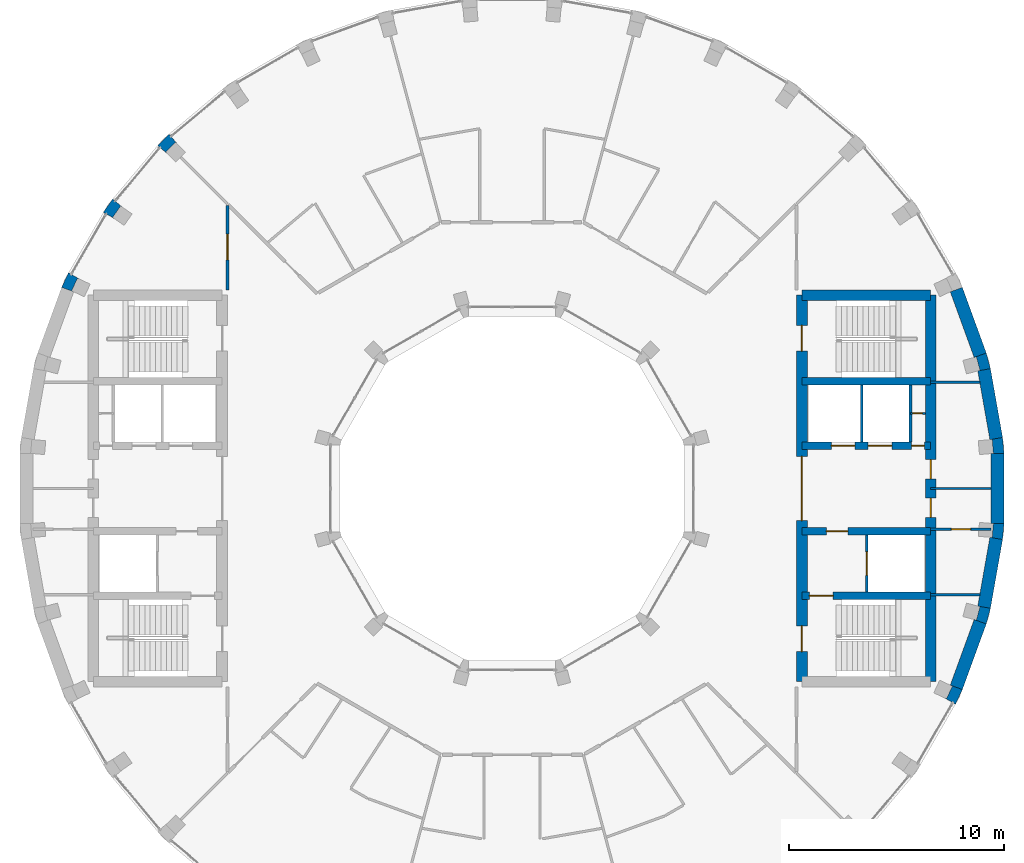
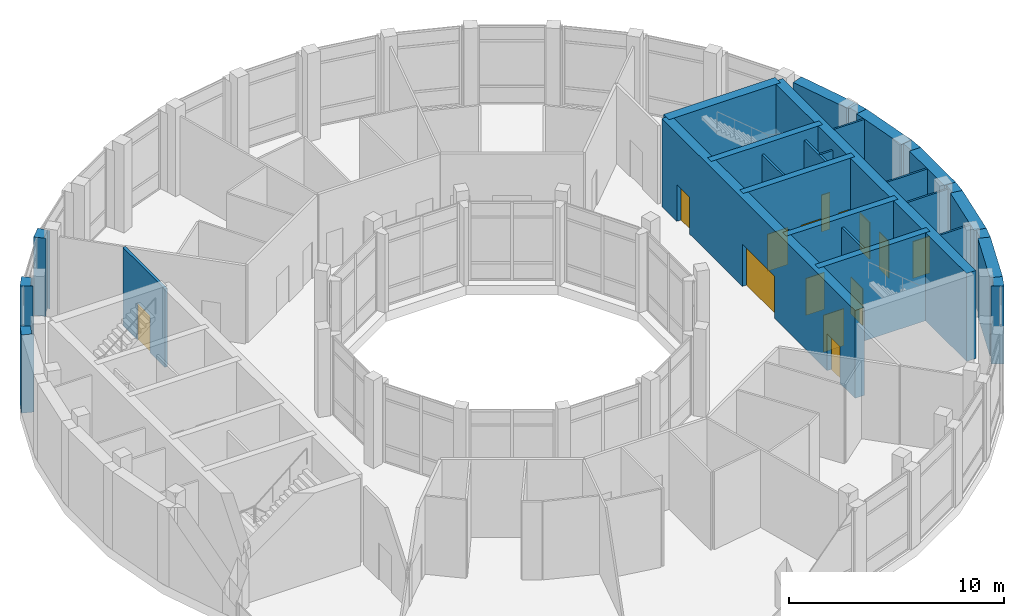
# One storey, part 13 of 16: 29 walls, 14 doors, 14 openings.
"""IFC4 building model written with IfcOpenShell, lengths in metres."""

import ifcopenshell
import ifcopenshell.guid

model = None  # the IFC model being written
_history = None  # IfcOwnerHistory: only IFC2X3 demands one
_inside = {}  # id of a spatial element -> (the spatial element, [elements in it])
_under = {}  # id of a project, library or spatial element -> (it, [spatial elements below it])
_declared = {}  # id of a project -> (the project, [libraries it declares])
_typed = {}  # id of a type object -> (the type object, [elements of that type])
_made_of = {}  # id of a material, layer set ... -> (it, [elements and type objects made of it])


def new_model(schema):
    """Start an empty IFC model of exactly this schema.

    Asked for "IFC4X3", IfcOpenShell would pick the latest addendum, in which some entities
    have other attributes; the version numbers below select the first issue.
    IFC2X3 requires an IfcOwnerHistory on every rooted entity: one is made here for all.
    """
    global model, _history
    if schema == "IFC4X3":
        model = ifcopenshell.file(schema_version=(4, 3, 0, 0))
    else:
        model = ifcopenshell.file(schema=schema)
    _inside.clear()
    _under.clear()
    _declared.clear()
    _typed.clear()
    _made_of.clear()
    _history = None
    if model.schema == "IFC2X3":
        org = make("IfcOrganization", Name="unknown")
        user = make(
            "IfcPersonAndOrganization",
            ThePerson=make("IfcPerson", FamilyName="unknown"),
            TheOrganization=org,
        )
        app = make(
            "IfcApplication",
            ApplicationDeveloper=org,
            Version="unknown",
            ApplicationFullName="unknown",
            ApplicationIdentifier="unknown",
        )
        _history = make(
            "IfcOwnerHistory",
            OwningUser=user,
            OwningApplication=app,
            ChangeAction="ADDED",
            CreationDate=0,
        )
    return model


def make(cls, **values):
    """One entity of the class cls with the attributes given. An attribute that is None is left unset."""
    return model.create_entity(
        cls, **{name: value for name, value in values.items() if value is not None}
    )


def rooted(cls, **values):
    """An entity with a GlobalId (a new one), such as an element, a storey or a relation."""
    return make(cls, GlobalId=ifcopenshell.guid.new(), OwnerHistory=_history, **values)


def si_unit(unit_type, name, prefix=None):
    """IfcSIUnit, for example si_unit("LENGTHUNIT", "METRE", prefix="MILLI")."""
    return make("IfcSIUnit", UnitType=unit_type, Prefix=prefix, Name=name)


def assignment(units):
    """IfcUnitAssignment: the units of a project."""
    return None if units is None else make("IfcUnitAssignment", Units=units)


def point(xyz):
    """IfcCartesianPoint."""
    return None if xyz is None else make("IfcCartesianPoint", Coordinates=xyz)


def direction(xyz):
    """IfcDirection."""
    return None if xyz is None else make("IfcDirection", DirectionRatios=xyz)


def frame(location, z_axis=None, x_axis=None):
    """IfcAxis2Placement3D, a coordinate frame: its origin and axes. An axis left out is left unset."""
    return make(
        "IfcAxis2Placement3D",
        Location=point(location),
        Axis=direction(z_axis),
        RefDirection=direction(x_axis),
    )


def frame_2d(location, x_axis=None):
    """IfcAxis2Placement2D, a coordinate frame in the plane: its origin and x axis."""
    return make(
        "IfcAxis2Placement2D", Location=point(location), RefDirection=direction(x_axis)
    )


def origin():
    """The frame at (0, 0, 0) with its axes left unset."""
    return frame((0.0, 0.0, 0.0))


def place(relative_to, where):
    """IfcLocalPlacement: puts the frame where relative to a parent placement (None: the world)."""
    return make(
        "IfcLocalPlacement", PlacementRelTo=relative_to, RelativePlacement=where
    )


def context(
    kind, dimensions, precision=None, world=None, true_north=None, identifier=None
):
    """IfcGeometricRepresentationContext, for example the 3D "Model" context."""
    return make(
        "IfcGeometricRepresentationContext",
        ContextIdentifier=identifier,
        ContextType=kind,
        CoordinateSpaceDimension=dimensions,
        Precision=precision,
        WorldCoordinateSystem=world,
        TrueNorth=true_north,
    )


def subcontext(parent, identifier, kind, view, scale=None):
    """IfcGeometricRepresentationSubContext, for example "Body" below "Model"."""
    return make(
        "IfcGeometricRepresentationSubContext",
        ContextIdentifier=identifier,
        ContextType=kind,
        ParentContext=parent,
        TargetScale=scale,
        TargetView=view,
    )


def project(units=None, contexts=None):
    """IfcProject with its units and contexts."""
    return rooted(
        "IfcProject",
        Name="project",
        RepresentationContexts=contexts,
        UnitsInContext=assignment(units),
    )


def spatial(cls, under=None, at=None, **own):
    """A site, building, storey or space (cls), placed at a placement, below another one or the project."""
    s = rooted(cls, ObjectPlacement=at, **own)
    if under is not None:
        _under.setdefault(under.id(), (under, []))[1].append(s)
    return s


def polyline(points):
    """IfcPolyline through the points."""
    return make("IfcPolyline", Points=[point(p) for p in points])


def profile(cls, at=None, kind="AREA", **sizes):
    """A parametric profile (cls). Its sizes go by their IFC names, for example OverallWidth=200.0."""
    return make(cls, ProfileType=kind, Position=at, **sizes)


def rectangle(**sizes):
    """IfcRectangleProfileDef."""
    return profile("IfcRectangleProfileDef", **sizes)


def outline(outer, holes=None, kind="AREA"):
    """IfcArbitraryClosedProfileDef: a profile drawn as a closed curve; with holes, ...WithVoids."""
    if holes is None:
        return make("IfcArbitraryClosedProfileDef", ProfileType=kind, OuterCurve=outer)
    return make(
        "IfcArbitraryProfileDefWithVoids",
        ProfileType=kind,
        OuterCurve=outer,
        InnerCurves=holes,
    )


def extrude(swept, where, along, depth):
    """IfcExtrudedAreaSolid: the profile swept, set in the frame where, extruded along a direction by depth."""
    return make(
        "IfcExtrudedAreaSolid",
        SweptArea=swept,
        Position=where,
        ExtrudedDirection=direction(along),
        Depth=depth,
    )


def shape(context_of_items, identifier, shape_type, items):
    """IfcShapeRepresentation: the items that make up one representation, for example the "Body"."""
    return make(
        "IfcShapeRepresentation",
        ContextOfItems=context_of_items,
        RepresentationIdentifier=identifier,
        RepresentationType=shape_type,
        Items=items,
    )


def material(Name=None, Category=None):
    """IfcMaterial."""
    return make("IfcMaterial", Name=Name, Category=Category)


def layer(
    of_material, thickness, ventilated=None, Name=None, Category=None, Priority=None
):
    """IfcMaterialLayer: one layer of a wall or slab, of a material (None: an air gap)."""
    return make(
        "IfcMaterialLayer",
        Material=of_material,
        LayerThickness=thickness,
        IsVentilated=ventilated,
        Name=Name,
        Category=Category,
        Priority=Priority,
    )


def layer_set(layers, Name=None):
    """IfcMaterialLayerSet."""
    return make("IfcMaterialLayerSet", MaterialLayers=layers, LayerSetName=Name)


def made_of(thing, what):
    """Note that an element or type object is made of a material, layer set ...; save() writes the relation."""
    if what is not None:
        _made_of.setdefault(what.id(), (what, []))[1].append(thing)
    return thing


def type_object(cls, material=None, **own):
    """A type object (cls), such as IfcWallType, which elements share."""
    return made_of(rooted(cls, **own), material)


def element(
    cls,
    number,
    at=None,
    inside=None,
    cuts=None,
    type_object=None,
    material=None,
    context=None,
    identifier="Body",
    shape_type=None,
    held_by="IfcProductDefinitionShape",
    body=None,
    shapes=None,
    **own,
):
    """One element of the class cls, such as IfcWall. Its Tag is "e" and its number.

    at: its placement. inside: the storey or other place that contains it. cuts: it is an
    opening in that element (IfcRelVoidsElement). A single representation is given by context,
    identifier, shape_type and body (its items); several are given by shapes. held_by: the class
    of the entity that holds the representations. save() writes the other relations.
    """
    e = rooted(cls, Tag="e%d" % number, ObjectPlacement=at, **own)
    if body is not None:
        shapes = [shape(context, identifier, shape_type, body)]
    if shapes is not None:
        e.Representation = make(held_by, Representations=shapes)
    if inside is not None:
        _inside.setdefault(inside.id(), (inside, []))[1].append(e)
    if cuts is not None:
        rooted(
            "IfcRelVoidsElement", RelatingBuildingElement=cuts, RelatedOpeningElement=e
        )
    if type_object is not None:
        _typed.setdefault(type_object.id(), (type_object, []))[1].append(e)
    return made_of(e, material)


def fill(opening, filler):
    """IfcRelFillsElement: the door or window that sits in an opening."""
    return rooted(
        "IfcRelFillsElement",
        RelatingOpeningElement=opening,
        RelatedBuildingElement=filler,
    )


def aggregate(whole, parts):
    """IfcRelAggregates: a whole, such as a stair, and the parts it consists of."""
    return rooted("IfcRelAggregates", RelatingObject=whole, RelatedObjects=parts)


def save(model, path):
    """Write the relations noted so far, then the file.

    IfcRelAggregates (storeys below a building ...), IfcRelContainedInSpatialStructure (elements
    in a storey), IfcRelDefinesByType, IfcRelAssociatesMaterial and IfcRelDeclares: one each for
    every whole, place, type object, material and project.
    """
    for whole, parts in _under.values():
        aggregate(whole, parts)
    for where, things in _inside.values():
        rooted(
            "IfcRelContainedInSpatialStructure",
            RelatedElements=things,
            RelatingStructure=where,
        )
    for kind, things in _typed.values():
        rooted("IfcRelDefinesByType", RelatedObjects=things, RelatingType=kind)
    for what, things in _made_of.values():
        rooted("IfcRelAssociatesMaterial", RelatedObjects=things, RelatingMaterial=what)
    for by, libraries in _declared.values():
        rooted("IfcRelDeclares", RelatingContext=by, RelatedDefinitions=libraries)
    model.write(path)


model = new_model("IFC4")

# Units and contexts
model_context = context("Model", 3, precision=1e-05, world=origin(), true_north=direction((0.0, 1.0)))
body_context = subcontext(model_context, "Body", "Model", "MODEL_VIEW")
ifc_project = project(units=[si_unit("LENGTHUNIT", "METRE"), si_unit("AREAUNIT", "SQUARE_METRE"), si_unit("VOLUMEUNIT", "CUBIC_METRE"), si_unit("PLANEANGLEUNIT", "RADIAN"), si_unit("MASSUNIT", "GRAM", prefix="KILO")], contexts=[model_context])

# Site, building, storey
site_placement = place(None, origin())
site = spatial("IfcSite", under=ifc_project, at=site_placement, CompositionType="ELEMENT")
building_placement = place(site_placement, origin())
building = spatial("IfcBuilding", under=site, at=building_placement, Name="Saqina Gate Tower", CompositionType="ELEMENT")
storey_placement = place(building_placement, frame((0.0, 0.0, 279.199951171875)))
storey = spatial("IfcBuildingStorey", under=building, at=storey_placement, Name="L80", CompositionType="ELEMENT", Elevation=279.199951171875)

# Walls
ifc_material_1 = material(Name="Brick masonry (buff)", Category="masonry")
wall_type_1 = type_object("IfcWallType", Name="BRICK PIER COPING BUFF", PredefinedType="SOLIDWALL", material=ifc_material_1)
wall_1_placement = place(storey_placement, origin())
element("IfcWall", 1, at=wall_1_placement, inside=storey, type_object=wall_type_1, Name="Pier cap L80 column 1", PredefinedType="SOLIDWALL", context=body_context, shape_type="SweptSolid", body=[
    extrude(outline(polyline([(22.91259765625, 1.625732421875), (22.8466796875, 2.377685546875), (22.255859375, 2.2734375), (22.361083984375, 2.28271484375), (22.417724609375, 1.635009765625), (22.3125, 1.625732421875), (22.91259765625, 1.625732421875)])), origin(), (0.0, 0.0, 1.0), 4.449951171875),
])
wall_2_placement = place(storey_placement, origin())
element("IfcWall", 2, at=wall_2_placement, inside=storey, type_object=wall_type_1, Name="Pier cap L80 column 2", PredefinedType="SOLIDWALL", context=body_context, shape_type="SweptSolid", body=[
    extrude(outline(polyline([(22.0869140625, 6.30859375), (21.52294921875, 6.103515625), (21.625, 6.130859375), (21.793212890625, 5.5029296875), (21.691162109375, 5.4755859375), (22.281982421875, 5.579833984375), (22.0869140625, 6.30859375)])), origin(), (0.0, 0.0, 1.0), 4.449951171875),
])
wall_3_placement = place(storey_placement, origin())
element("IfcWall", 3, at=wall_3_placement, inside=storey, type_object=wall_type_1, Name="Pier cap L80 column 14", PredefinedType="SOLIDWALL", context=body_context, shape_type="SweptSolid", body=[
    extrude(outline(polyline([(-16.5068359375, 15.973388671875), (-16.04736328125, 15.587646484375), (-16.1220703125, 15.662353515625), (-15.662353515625, 16.1220703125), (-15.587646484375, 16.04736328125), (-15.973388671875, 16.5068359375), (-16.5068359375, 15.973388671875)])), origin(), (0.0, 0.0, 1.0), 4.449951171875),
])
wall_4_placement = place(storey_placement, origin())
element("IfcWall", 4, at=wall_4_placement, inside=storey, type_object=wall_type_1, Name="Pier cap L80 column 15", PredefinedType="SOLIDWALL", context=body_context, shape_type="SweptSolid", body=[
    extrude(outline(polyline([(-19.02978515625, 12.8642578125), (-18.51025390625, 12.564208984375), (-18.596923828125, 12.625), (-18.22412109375, 13.157470703125), (-18.137451171875, 13.0966796875), (-18.59716796875, 13.482421875), (-19.02978515625, 12.8642578125)])), origin(), (0.0, 0.0, 1.0), 4.449951171875),
])
wall_5_placement = place(storey_placement, origin())
element("IfcWall", 5, at=wall_5_placement, inside=storey, type_object=wall_type_1, Name="Pier cap L80 column 16", PredefinedType="SOLIDWALL", context=body_context, shape_type="SweptSolid", body=[
    extrude(outline(polyline([(-20.65576171875, 10.048095703125), (-20.974609375, 9.3642578125), (-20.410888671875, 9.1591796875), (-20.506591796875, 9.203857421875), (-20.23193359375, 9.79296875), (-20.135986328125, 9.748291015625), (-20.65576171875, 10.048095703125)])), origin(), (0.0, 0.0, 1.0), 4.449951171875),
])
wall_6_placement = place(storey_placement, origin())
element("IfcWall", 6, at=wall_6_placement, inside=storey, type_object=wall_type_1, Name="Pier cap L80 column 34", PredefinedType="SOLIDWALL", context=body_context, shape_type="SweptSolid", body=[
    extrude(outline(polyline([(20.65576171875, -10.048095703125), (20.974609375, -9.3642578125), (20.410888671875, -9.1591796875), (20.506591796875, -9.203857421875), (20.23193359375, -9.79296875), (20.135986328125, -9.748291015625), (20.65576171875, -10.048095703125)])), origin(), (0.0, 0.0, 1.0), 4.449951171875),
])
wall_7_placement = place(storey_placement, origin())
element("IfcWall", 7, at=wall_7_placement, inside=storey, type_object=wall_type_1, Name="Pier cap L80 column 35", PredefinedType="SOLIDWALL", context=body_context, shape_type="SweptSolid", body=[
    extrude(outline(polyline([(22.281982421875, -5.579833984375), (21.691162109375, -5.4755859375), (21.793212890625, -5.5029296875), (21.625, -6.130859375), (21.52294921875, -6.103515625), (22.0869140625, -6.30859375), (22.281982421875, -5.579833984375)])), origin(), (0.0, 0.0, 1.0), 4.449951171875),
])
wall_8_placement = place(storey_placement, origin())
element("IfcWall", 8, at=wall_8_placement, inside=storey, type_object=wall_type_1, Name="Pier cap L80 column 36", PredefinedType="SOLIDWALL", context=body_context, shape_type="SweptSolid", body=[
    extrude(outline(polyline([(22.8466796875, -2.377685546875), (22.91259765625, -1.625732421875), (22.3125, -1.625732421875), (22.417724609375, -1.635009765625), (22.361083984375, -2.28271484375), (22.255859375, -2.2734375), (22.8466796875, -2.377685546875)])), origin(), (0.0, 0.0, 1.0), 4.449951171875),
])

# Wall, opening, door
ifc_material_2 = material(Name="Gypsum board on steel studs", Category="steel")
ifc_layer_1 = layer(ifc_material_2, 0.10009765625)
ifc_layer_set_1 = layer_set([ifc_layer_1], Name="CORE PARTITION")
wall_type_2 = type_object("IfcWallType", Name="CORE PARTITION", PredefinedType="PARTITIONING", material=ifc_layer_set_1)
wall_9_placement = place(storey_placement, frame((18.56005859375, 3.5, 0.0), z_axis=(0.0, 0.0, 1.0), x_axis=(1.0, 0.0, 0.0)))
wall_9 = element("IfcWall", 9, at=wall_9_placement, inside=storey, type_object=wall_type_2, Name="L80-CP-E01", PredefinedType="PARTITIONING", context=body_context, shape_type="SweptSolid", body=[
    extrude(rectangle(XDim=0.68994140625, YDim=0.10009765625, at=frame_2d((0.344970703125, 0.0))), origin(), (0.0, 0.0, 1.0), 4.449951171875),
])
opening_1_placement = place(wall_9_placement, frame((0.10009765625, 0.0, 0.0)))
opening_1 = element("IfcOpeningElement", 10, at=opening_1_placement, cuts=wall_9, Name="Opening L80-D95", PredefinedType="OPENING", context=body_context, shape_type="SweptSolid", body=[
    extrude(rectangle(XDim=0.449951171875, YDim=2.10009765625, at=frame_2d((0.22509765625, 1.050048828125))), frame((0.0, 0.06201171875, 0.0), z_axis=(0.0, -1.0, 0.0), x_axis=(1.0, 0.0, 0.0)), (0.0, 0.0, 1.0), 0.1240234375),
])
ifc_material_3 = material(Name="Steel-framed fire door leaf, EI 60", Category="steel")
door_type_1 = type_object("IfcDoorType", Name="SERVICE ROOM DOOR 450", OperationType="SINGLE_SWING_LEFT", PredefinedType="DOOR", material=ifc_material_3)
door_1_placement = place(opening_1_placement, origin())
door_1 = element("IfcDoor", 11, at=door_1_placement, inside=storey, type_object=door_type_1, Name="L80-CD-E06", OperationType="SINGLE_SWING_RIGHT", OverallHeight=2.10009765625, OverallWidth=0.449951171875, PredefinedType="DOOR", context=body_context, shape_type="SweptSolid", body=[
    extrude(rectangle(XDim=0.449951171875, YDim=2.10009765625, at=frame_2d((0.22509765625, 1.050048828125))), frame((0.0, 0.02490234375, 0.0), z_axis=(0.0, -1.0, 0.0), x_axis=(1.0, 0.0, 0.0)), (0.0, 0.0, 1.0), 0.050048828125),
])
fill(opening_1, door_1)

# Walls
for number, where, z_axis, x_axis, name in (
    (12, (19.5, 4.949951171875, 0.0), (0.0, 0.0, 1.0), (1.0, 0.0, 0.0), "L80-CP-E02"),
    (13, (19.5, -4.949951171875, 0.0), (0.0, 0.0, 1.0), (1.0, 0.0, 0.0), "L80-CP-E03"),
):
    element("IfcWall", number, at=place(storey_placement, frame(where, z_axis=z_axis, x_axis=x_axis)), inside=storey, type_object=wall_type_2, Name=name, PredefinedType="PARTITIONING", context=body_context, shape_type="SweptSolid", body=[
        extrude(rectangle(XDim=2.283935546875, YDim=0.10009765625, at=frame_2d((1.14208984375, 0.0))), origin(), (0.0, 0.0, 1.0), 4.449951171875),
    ])

# Wall, opening, door
wall_10_placement = place(storey_placement, frame((19.5, -1.89990234375, 0.0), z_axis=(0.0, 0.0, 1.0), x_axis=(1.0, 0.0, 0.0)))
wall_10 = element("IfcWall", 14, at=wall_10_placement, inside=storey, type_object=wall_type_2, Name="L80-CP-E04", PredefinedType="PARTITIONING", context=body_context, shape_type="SweptSolid", body=[
    extrude(rectangle(XDim=2.8125, YDim=0.10009765625, at=frame_2d((1.40625, 0.0))), origin(), (0.0, 0.0, 1.0), 4.449951171875),
])
opening_2_placement = place(wall_10_placement, frame((0.956298828125, 0.0, 0.0)))
opening_2 = element("IfcOpeningElement", 15, at=opening_2_placement, cuts=wall_10, Name="Opening L80-D93", PredefinedType="OPENING", context=body_context, shape_type="SweptSolid", body=[
    extrude(rectangle(XDim=0.89990234375, YDim=2.10009765625, at=frame_2d((0.449951171875, 1.050048828125))), frame((0.0, 0.06201171875, 0.0), z_axis=(0.0, -1.0, 0.0), x_axis=(1.0, 0.0, 0.0)), (0.0, 0.0, 1.0), 0.1240234375),
])
ifc_material_4 = material(Name="Steel-framed fire door leaf, EI 60", Category="steel")
door_type_2 = type_object("IfcDoorType", Name="SERVICE ROOM DOOR 900", OperationType="SINGLE_SWING_LEFT", PredefinedType="DOOR", material=ifc_material_4)
door_2_placement = place(opening_2_placement, frame((0.89990234375, 0.0, 0.0), z_axis=(0.0, 0.0, 1.0), x_axis=(-1.0, 0.0, 0.0)))
door_2 = element("IfcDoor", 16, at=door_2_placement, inside=storey, type_object=door_type_2, Name="L80-CD-E04", OperationType="SINGLE_SWING_LEFT", OverallHeight=2.10009765625, OverallWidth=0.89990234375, PredefinedType="DOOR", context=body_context, shape_type="SweptSolid", body=[
    extrude(rectangle(XDim=0.89990234375, YDim=2.10009765625, at=frame_2d((0.449951171875, 1.050048828125))), frame((0.0, 0.02490234375, 0.0), z_axis=(0.0, -1.0, 0.0), x_axis=(1.0, 0.0, 0.0)), (0.0, 0.0, 1.0), 0.050048828125),
])
fill(opening_2, door_2)

# Walls
wall_11_placement = place(storey_placement, frame((19.5, 0.0, 0.0), z_axis=(0.0, 0.0, 1.0), x_axis=(1.0, 0.0, 0.0)))
element("IfcWall", 17, at=wall_11_placement, inside=storey, type_object=wall_type_2, Name="L80-CP-E05", PredefinedType="PARTITIONING", context=body_context, shape_type="SweptSolid", body=[
    extrude(rectangle(XDim=2.8125, YDim=0.10009765625, at=frame_2d((1.40625, 0.0))), origin(), (0.0, 0.0, 1.0), 4.449951171875),
])
ifc_material_5 = material(Name="Glazed ceramic tile", Category="ceramic")
ifc_layer_2 = layer(ifc_material_5, 0.60009765625)
ifc_layer_set_2 = layer_set([ifc_layer_2], Name="FW-TILE")
wall_type_3 = type_object("IfcWallType", Name="FW-TILE", PredefinedType="SOLIDWALL", material=ifc_layer_set_2)
for number, where, z_axis, x_axis, name in (
    (18, (22.55126953125, 2.325439453125, 0.0), (0.0, 0.0, 1.0), (-0.173656842178, 0.984806225186, 0.0), "Facade wall L80 facet 1"),
    (19, (21.986572265625, -5.52783203125, 0.0), (0.0, 0.0, 1.0), (0.173656842178, 0.984806225186, 0.0), "Facade wall L80 facet 35"),
):
    element("IfcWall", number, at=place(storey_placement, frame(where, z_axis=z_axis, x_axis=x_axis)), inside=storey, type_object=wall_type_3, Name=name, PredefinedType="SOLIDWALL", context=body_context, shape_type="SweptSolid", body=[
        extrude(rectangle(XDim=3.251708984375, YDim=0.60009765625, at=frame_2d((1.6259765625, 0.0))), origin(), (0.0, 0.0, 1.0), 4.449951171875),
    ])
ifc_material_6 = material(Name="Glazed ceramic tile (dark blue)", Category="ceramic")
ifc_layer_3 = layer(ifc_material_6, 0.60009765625)
ifc_layer_set_3 = layer_set([ifc_layer_3], Name="FW-TILE-CB")
wall_type_4 = type_object("IfcWallType", Name="FW-TILE-CB", PredefinedType="SOLIDWALL", material=ifc_layer_set_3)
for number, where, z_axis, x_axis, name in (
    (20, (21.804931640625, 6.2060546875, 0.0), (0.0, 0.0, 1.0), (-0.342056509473, 0.939679383794, 0.0), "Facade wall L80 facet 2"),
    (21, (20.692626953125, -9.26171875, 0.0), (0.0, 0.0, 1.0), (0.342056509473, 0.939679383794, 0.0), "Facade wall L80 facet 34"),
):
    element("IfcWall", number, at=place(storey_placement, frame(where, z_axis=z_axis, x_axis=x_axis)), inside=storey, type_object=wall_type_4, Name=name, PredefinedType="SOLIDWALL", context=body_context, shape_type="SweptSolid", body=[
        extrude(rectangle(XDim=3.251708984375, YDim=0.60009765625, at=frame_2d((1.6259765625, 0.0))), origin(), (0.0, 0.0, 1.0), 4.449951171875),
    ])
ifc_material_7 = material(Name="Glazed ceramic tile (white)", Category="ceramic")
ifc_layer_4 = layer(ifc_material_7, 0.60009765625)
ifc_layer_set_4 = layer_set([ifc_layer_4], Name="FW-TILE-WH")
wall_type_5 = type_object("IfcWallType", Name="FW-TILE-WH", PredefinedType="SOLIDWALL", material=ifc_layer_set_4)
wall_12_placement = place(storey_placement, frame((22.612548828125, -1.625732421875, 0.0), z_axis=(0.0, 0.0, 1.0), x_axis=(0.0, 1.0, 0.0)))
element("IfcWall", 22, at=wall_12_placement, inside=storey, type_object=wall_type_5, Name="Facade wall L80 facet 36", PredefinedType="SOLIDWALL", context=body_context, shape_type="SweptSolid", body=[
    extrude(rectangle(XDim=3.25146484375, YDim=0.60009765625, at=frame_2d((1.625732421875, 0.0))), origin(), (0.0, 0.0, 1.0), 4.449951171875),
])
ifc_material_8 = material(Name="Autoclaved aerated concrete block", Category="concrete")
ifc_layer_5 = layer(ifc_material_8, 0.1201171875)
ifc_layer_set_5 = layer_set([ifc_layer_5], Name="SHAFT PARTITION")
wall_type_6 = type_object("IfcWallType", Name="SHAFT PARTITION", PredefinedType="PARTITIONING", material=ifc_layer_set_5)
for number, where, z_axis, x_axis, name in (
    (23, (16.280029296875, 2.175048828125, 0.0), (0.0, 0.0, 1.0), (0.0, 1.0, 0.0), "L80-CP-E06"),
    (24, (18.56005859375, 2.175048828125, 0.0), (0.0, 0.0, 1.0), (0.0, 1.0, 0.0), "L80-CP-E07"),
):
    element("IfcWall", number, at=place(storey_placement, frame(where, z_axis=z_axis, x_axis=x_axis)), inside=storey, type_object=wall_type_6, Name=name, PredefinedType="PARTITIONING", context=body_context, shape_type="SweptSolid", body=[
        extrude(rectangle(XDim=2.64990234375, YDim=0.1201171875, at=frame_2d((1.324951171875, 0.0))), origin(), (0.0, 0.0, 1.0), 4.449951171875),
    ])

# Wall, opening, door
wall_13_placement = place(storey_placement, frame((16.530029296875, -4.824951171875, 0.0), z_axis=(0.0, 0.0, 1.0), x_axis=(0.0, 1.0, 0.0)))
wall_13 = element("IfcWall", 25, at=wall_13_placement, inside=storey, type_object=wall_type_6, Name="L80-CP-E08", PredefinedType="PARTITIONING", context=body_context, shape_type="SweptSolid", body=[
    extrude(rectangle(XDim=2.64990234375, YDim=0.1201171875, at=frame_2d((1.324951171875, 0.0))), origin(), (0.0, 0.0, 1.0), 4.449951171875),
])
opening_3_placement = place(wall_13_placement, frame((0.77490234375, 0.0, 0.0)))
opening_3 = element("IfcOpeningElement", 26, at=opening_3_placement, cuts=wall_13, Name="Opening L80-LD3", PredefinedType="OPENING", context=body_context, shape_type="SweptSolid", body=[
    extrude(rectangle(XDim=1.10009765625, YDim=2.10009765625, at=frame_2d((0.550048828125, 1.050048828125))), frame((0.0, 0.072021484375, 0.0), z_axis=(0.0, -1.0, 0.0), x_axis=(1.0, 0.0, 0.0)), (0.0, 0.0, 1.0), 0.14404296875),
])
ifc_material_9 = material(Name="Stainless steel", Category="steel")
door_type_3 = type_object("IfcDoorType", Name="LANDING DOOR", OperationType="DOUBLE_DOOR_SLIDING", PredefinedType="DOOR", material=ifc_material_9)
door_3_placement = place(opening_3_placement, origin())
door_3 = element("IfcDoor", 27, at=door_3_placement, inside=storey, type_object=door_type_3, Name="LANDING DOOR FF1", OperationType="DOUBLE_DOOR_SLIDING", OverallHeight=2.10009765625, OverallWidth=1.10009765625, PredefinedType="DOOR", context=body_context, shape_type="SweptSolid", body=[
    extrude(rectangle(XDim=1.10009765625, YDim=2.10009765625, at=frame_2d((0.550048828125, 1.050048828125))), frame((0.0, 0.02490234375, 0.0), z_axis=(0.0, -1.0, 0.0), x_axis=(1.0, 0.0, 0.0)), (0.0, 0.0, 1.0), 0.050048828125),
])
fill(opening_3, door_3)

ifc_material_10 = material(Name="Gypsum board on steel studs, 150 mm, fire rated", Category="steel")
ifc_layer_6 = layer(ifc_material_10, 0.14990234375)
ifc_layer_set_6 = layer_set([ifc_layer_6], Name="SPECIAL PARTITION EI 30 150")
wall_type_7 = type_object("IfcWallType", Name="SPECIAL PARTITION EI 30 150", PredefinedType="PARTITIONING", material=ifc_layer_set_6)
wall_14_placement = place(storey_placement, frame((-13.25, 9.25, 0.0), z_axis=(0.0, 0.0, 1.0), x_axis=(0.0, 1.0, 0.0)))
wall_14 = element("IfcWall", 28, at=wall_14_placement, inside=storey, type_object=wall_type_7, Name="PARTITION 048", PredefinedType="PARTITIONING", context=body_context, shape_type="SweptSolid", body=[
    extrude(rectangle(XDim=3.925048828125, YDim=0.14990234375, at=frame_2d((1.96240234375, 0.0))), origin(), (0.0, 0.0, 1.0), 4.449951171875),
])
opening_4_placement = place(wall_14_placement, frame((1.39990234375, 0.0, 0.0)))
opening_4 = element("IfcOpeningElement", 29, at=opening_4_placement, cuts=wall_14, Name="Opening L80-D12", PredefinedType="OPENING", context=body_context, shape_type="SweptSolid", body=[
    extrude(rectangle(XDim=1.199951171875, YDim=2.10009765625, at=frame_2d((0.60009765625, 1.050048828125))), frame((0.0, 0.0869140625, 0.0), z_axis=(0.0, -1.0, 0.0), x_axis=(1.0, 0.0, 0.0)), (0.0, 0.0, 1.0), 0.173828125),
])
ifc_material_11 = material(Name="Steel-framed fire door leaf, EI 30", Category="steel")
door_type_4 = type_object("IfcDoorType", Name="SPECIAL DOOR 1200 FIRE EI 30", OperationType="SINGLE_SWING_LEFT", PredefinedType="DOOR", material=ifc_material_11)
door_4_placement = place(opening_4_placement, origin())
door_4 = element("IfcDoor", 30, at=door_4_placement, inside=storey, type_object=door_type_4, Name="DOOR L80-D12", OperationType="SINGLE_SWING_RIGHT", OverallHeight=2.10009765625, OverallWidth=1.199951171875, PredefinedType="DOOR", context=body_context, shape_type="SweptSolid", body=[
    extrude(rectangle(XDim=1.199951171875, YDim=2.10009765625, at=frame_2d((0.60009765625, 1.050048828125))), frame((0.0, 0.02490234375, 0.0), z_axis=(0.0, -1.0, 0.0), x_axis=(1.0, 0.0, 0.0)), (0.0, 0.0, 1.0), 0.050048828125),
])
fill(opening_4, door_4)

# Wall
ifc_material_12 = material(Name="Concrete C60/75", Category="concrete")
ifc_layer_7 = layer(ifc_material_12, 0.35009765625)
ifc_layer_set_7 = layer_set([ifc_layer_7], Name="Concrete C60/75")
wall_type_8 = type_object("IfcWallType", Name="STR-CORE WALL-D-I", PredefinedType="SHEAR", material=ifc_layer_set_7)
wall_15_placement = place(storey_placement, frame((13.5, 5.0, 0.0), z_axis=(0.0, 0.0, 1.0), x_axis=(1.0, 0.0, 0.0)))
element("IfcWall", 31, at=wall_15_placement, inside=storey, type_object=wall_type_8, Name="CORE WALL L80 E-X1", PredefinedType="SHEAR", context=body_context, shape_type="SweptSolid", body=[
    extrude(rectangle(XDim=6.0, YDim=0.35009765625, at=frame_2d((3.0, 0.0))), origin(), (0.0, 0.0, 1.0), 5.0),
])

# Wall, opening, door
wall_16_placement = place(storey_placement, frame((13.5, -5.0, 0.0), z_axis=(0.0, 0.0, 1.0), x_axis=(1.0, 0.0, 0.0)))
wall_16 = element("IfcWall", 32, at=wall_16_placement, inside=storey, type_object=wall_type_8, Name="CORE WALL L80 E-X2", PredefinedType="SHEAR", context=body_context, shape_type="SweptSolid", body=[
    extrude(rectangle(XDim=6.0, YDim=0.35009765625, at=frame_2d((3.0, 0.0))), origin(), (0.0, 0.0, 1.0), 5.0),
])
opening_5_placement = place(wall_16_placement, frame((0.35009765625, 0.0, 0.0)))
opening_5 = element("IfcOpeningElement", 33, at=opening_5_placement, cuts=wall_16, Name="Opening L80-D96", PredefinedType="OPENING", context=body_context, shape_type="SweptSolid", body=[
    extrude(rectangle(XDim=1.10009765625, YDim=2.10009765625, at=frame_2d((0.550048828125, 1.050048828125))), frame((0.0, 0.18701171875, 0.0), z_axis=(0.0, -1.0, 0.0), x_axis=(1.0, 0.0, 0.0)), (0.0, 0.0, 1.0), 0.3740234375),
])
ifc_material_13 = material(Name="Steel", Category="steel")
door_type_5 = type_object("IfcDoorType", Name="FIRE LOBBY DOOR EI 60 WIDE", OperationType="SINGLE_SWING_LEFT", PredefinedType="DOOR", material=ifc_material_13)
door_5_placement = place(opening_5_placement, frame((1.10009765625, 0.0, 0.0), z_axis=(0.0, 0.0, 1.0), x_axis=(-1.0, 0.0, 0.0)))
door_5 = element("IfcDoor", 34, at=door_5_placement, inside=storey, type_object=door_type_5, Name="L80-CD-E07", OperationType="SINGLE_SWING_RIGHT", OverallHeight=2.10009765625, OverallWidth=1.10009765625, PredefinedType="DOOR", context=body_context, shape_type="SweptSolid", body=[
    extrude(rectangle(XDim=1.10009765625, YDim=2.10009765625, at=frame_2d((0.550048828125, 1.050048828125))), frame((0.0, 0.02490234375, 0.0), z_axis=(0.0, -1.0, 0.0), x_axis=(1.0, 0.0, 0.0)), (0.0, 0.0, 1.0), 0.050048828125),
])
fill(opening_5, door_5)

# Wall, openings, doors
wall_17_placement = place(storey_placement, frame((13.5, 2.0, 0.0), z_axis=(0.0, 0.0, 1.0), x_axis=(1.0, 0.0, 0.0)))
wall_17 = element("IfcWall", 35, at=wall_17_placement, inside=storey, type_object=wall_type_8, Name="CORE WALL L80 E-L1", PredefinedType="SHEAR", context=body_context, shape_type="SweptSolid", body=[
    extrude(rectangle(XDim=6.0, YDim=0.35009765625, at=frame_2d((3.0, 0.0))), origin(), (0.0, 0.0, 1.0), 5.0),
])
opening_6_placement = place(wall_17_placement, frame((1.3701171875, 0.0, 0.0)))
opening_6 = element("IfcOpeningElement", 36, at=opening_6_placement, cuts=wall_17, Name="Opening L80-LD1", PredefinedType="OPENING", context=body_context, shape_type="SweptSolid", body=[
    extrude(rectangle(XDim=1.10009765625, YDim=2.10009765625, at=frame_2d((0.550048828125, 1.050048828125))), frame((0.0, 0.18701171875, 0.0), z_axis=(0.0, -1.0, 0.0), x_axis=(1.0, 0.0, 0.0)), (0.0, 0.0, 1.0), 0.3740234375),
])
opening_7_placement = place(wall_17_placement, frame((3.090087890625, 0.0, 0.0)))
opening_7 = element("IfcOpeningElement", 37, at=opening_7_placement, cuts=wall_17, Name="Opening L80-LD2", PredefinedType="OPENING", context=body_context, shape_type="SweptSolid", body=[
    extrude(rectangle(XDim=1.10009765625, YDim=2.10009765625, at=frame_2d((0.550048828125, 1.050048828125))), frame((0.0, 0.18701171875, 0.0), z_axis=(0.0, -1.0, 0.0), x_axis=(1.0, 0.0, 0.0)), (0.0, 0.0, 1.0), 0.3740234375),
])
opening_8_placement = place(wall_17_placement, frame((5.10498046875, 0.0, 0.0)))
opening_8 = element("IfcOpeningElement", 38, at=opening_8_placement, cuts=wall_17, Name="Opening L80-D90", PredefinedType="OPENING", context=body_context, shape_type="SweptSolid", body=[
    extrude(rectangle(XDim=0.60009765625, YDim=2.10009765625, at=frame_2d((0.300048828125, 1.050048828125))), frame((0.0, 0.18701171875, 0.0), z_axis=(0.0, -1.0, 0.0), x_axis=(1.0, 0.0, 0.0)), (0.0, 0.0, 1.0), 0.3740234375),
])
door_6_placement = place(opening_6_placement, origin())
door_6 = element("IfcDoor", 39, at=door_6_placement, inside=storey, type_object=door_type_3, Name="LANDING DOOR HR1", OperationType="DOUBLE_DOOR_SLIDING", OverallHeight=2.10009765625, OverallWidth=1.10009765625, PredefinedType="DOOR", context=body_context, shape_type="SweptSolid", body=[
    extrude(rectangle(XDim=1.10009765625, YDim=2.10009765625, at=frame_2d((0.550048828125, 1.050048828125))), frame((0.0, 0.02490234375, 0.0), z_axis=(0.0, -1.0, 0.0), x_axis=(1.0, 0.0, 0.0)), (0.0, 0.0, 1.0), 0.050048828125),
])
fill(opening_6, door_6)
door_7_placement = place(opening_7_placement, origin())
door_7 = element("IfcDoor", 40, at=door_7_placement, inside=storey, type_object=door_type_3, Name="LANDING DOOR HR2", OperationType="DOUBLE_DOOR_SLIDING", OverallHeight=2.10009765625, OverallWidth=1.10009765625, PredefinedType="DOOR", context=body_context, shape_type="SweptSolid", body=[
    extrude(rectangle(XDim=1.10009765625, YDim=2.10009765625, at=frame_2d((0.550048828125, 1.050048828125))), frame((0.0, 0.02490234375, 0.0), z_axis=(0.0, -1.0, 0.0), x_axis=(1.0, 0.0, 0.0)), (0.0, 0.0, 1.0), 0.050048828125),
])
fill(opening_7, door_7)
ifc_material_14 = material(Name="Steel-framed fire door leaf, EI 60", Category="steel")
door_type_6 = type_object("IfcDoorType", Name="SERVICE ROOM DOOR 600", OperationType="SINGLE_SWING_LEFT", PredefinedType="DOOR", material=ifc_material_14)
door_8_placement = place(opening_8_placement, origin())
door_8 = element("IfcDoor", 41, at=door_8_placement, inside=storey, type_object=door_type_6, Name="L80-CD-E01", OperationType="SINGLE_SWING_RIGHT", OverallHeight=2.10009765625, OverallWidth=0.60009765625, PredefinedType="DOOR", context=body_context, shape_type="SweptSolid", body=[
    extrude(rectangle(XDim=0.60009765625, YDim=2.10009765625, at=frame_2d((0.300048828125, 1.050048828125))), frame((0.0, 0.02490234375, 0.0), z_axis=(0.0, -1.0, 0.0), x_axis=(1.0, 0.0, 0.0)), (0.0, 0.0, 1.0), 0.050048828125),
])
fill(opening_8, door_8)

# Wall, opening, door
wall_18_placement = place(storey_placement, frame((13.5, -2.0, 0.0), z_axis=(0.0, 0.0, 1.0), x_axis=(1.0, 0.0, 0.0)))
wall_18 = element("IfcWall", 42, at=wall_18_placement, inside=storey, type_object=wall_type_8, Name="CORE WALL L80 E-L2", PredefinedType="SHEAR", context=body_context, shape_type="SweptSolid", body=[
    extrude(rectangle(XDim=6.0, YDim=0.35009765625, at=frame_2d((3.0, 0.0))), origin(), (0.0, 0.0, 1.0), 5.0),
])
opening_9_placement = place(wall_18_placement, frame((1.139892578125, 0.0, 0.0)))
opening_9 = element("IfcOpeningElement", 43, at=opening_9_placement, cuts=wall_18, Name="Opening L80-D91", PredefinedType="OPENING", context=body_context, shape_type="SweptSolid", body=[
    extrude(rectangle(XDim=1.0, YDim=2.10009765625, at=frame_2d((0.5, 1.050048828125))), frame((0.0, 0.18701171875, 0.0), z_axis=(0.0, -1.0, 0.0), x_axis=(1.0, 0.0, 0.0)), (0.0, 0.0, 1.0), 0.3740234375),
])
ifc_material_15 = material(Name="Steel", Category="steel")
door_type_7 = type_object("IfcDoorType", Name="FIRE LOBBY DOOR EI 60", OperationType="SINGLE_SWING_LEFT", PredefinedType="DOOR", material=ifc_material_15)
door_9_placement = place(opening_9_placement, origin())
door_9 = element("IfcDoor", 44, at=door_9_placement, inside=storey, type_object=door_type_7, Name="L80-CD-E02", OperationType="SINGLE_SWING_LEFT", OverallHeight=2.10009765625, OverallWidth=1.0, PredefinedType="DOOR", context=body_context, shape_type="SweptSolid", body=[
    extrude(rectangle(XDim=1.0, YDim=2.10009765625, at=frame_2d((0.5, 1.050048828125))), frame((0.0, 0.02490234375, 0.0), z_axis=(0.0, -1.0, 0.0), x_axis=(1.0, 0.0, 0.0)), (0.0, 0.0, 1.0), 0.050048828125),
])
fill(opening_9, door_9)

# Wall, openings, doors
ifc_material_16 = material(Name="Concrete C60/75", Category="concrete")
ifc_layer_8 = layer(ifc_material_16, 0.5)
ifc_layer_set_8 = layer_set([ifc_layer_8], Name="Concrete C60/75")
wall_type_9 = type_object("IfcWallType", Name="STR-CORE WALL-D-O", PredefinedType="SHEAR", material=ifc_layer_set_8)
wall_19_placement = place(storey_placement, frame((13.5, -9.0, 0.0), z_axis=(0.0, 0.0, 1.0), x_axis=(0.0, 1.0, 0.0)))
wall_19 = element("IfcWall", 45, at=wall_19_placement, inside=storey, type_object=wall_type_9, Name="CORE WALL L80 E-W1", PredefinedType="SHEAR", context=body_context, shape_type="SweptSolid", body=[
    extrude(rectangle(XDim=18.0, YDim=0.5, at=frame_2d((9.0, 0.0))), origin(), (0.0, 0.0, 1.0), 5.0),
])
opening_10_placement = place(wall_19_placement, frame((15.39990234375, 0.0, 0.0)))
opening_10 = element("IfcOpeningElement", 46, at=opening_10_placement, cuts=wall_19, Name="Opening L80-D97", PredefinedType="OPENING", context=body_context, shape_type="SweptSolid", body=[
    extrude(rectangle(XDim=1.199951171875, YDim=2.10009765625, at=frame_2d((0.60009765625, 1.050048828125))), frame((0.0, 0.261962890625, 0.0), z_axis=(0.0, -1.0, 0.0), x_axis=(1.0, 0.0, 0.0)), (0.0, 0.0, 1.0), 0.52392578125),
])
opening_11_placement = place(wall_19_placement, frame((1.39990234375, 0.0, 0.0)))
opening_11 = element("IfcOpeningElement", 47, at=opening_11_placement, cuts=wall_19, Name="Opening L80-D98", PredefinedType="OPENING", context=body_context, shape_type="SweptSolid", body=[
    extrude(rectangle(XDim=1.199951171875, YDim=2.10009765625, at=frame_2d((0.60009765625, 1.050048828125))), frame((0.0, 0.261962890625, 0.0), z_axis=(0.0, -1.0, 0.0), x_axis=(1.0, 0.0, 0.0)), (0.0, 0.0, 1.0), 0.52392578125),
])
opening_12_placement = place(wall_19_placement, frame((7.5, 0.0, 0.0)))
opening_12 = element("IfcOpeningElement", 48, at=opening_12_placement, cuts=wall_19, Name="Opening L80-D99", PredefinedType="OPENING", context=body_context, shape_type="SweptSolid", body=[
    extrude(rectangle(XDim=3.0, YDim=2.39990234375, at=frame_2d((1.5, 1.199951171875))), frame((0.0, 0.261962890625, 0.0), z_axis=(0.0, -1.0, 0.0), x_axis=(1.0, 0.0, 0.0)), (0.0, 0.0, 1.0), 0.52392578125),
])
ifc_material_17 = material(Name="Steel", Category="steel")
door_type_8 = type_object("IfcDoorType", Name="FIRE DOOR EI 60", OperationType="SINGLE_SWING_LEFT", PredefinedType="DOOR", material=ifc_material_17)
door_10_placement = place(opening_10_placement, frame((1.199951171875, 0.0, 0.0), z_axis=(0.0, 0.0, 1.0), x_axis=(-1.0, 0.0, 0.0)))
door_10 = element("IfcDoor", 49, at=door_10_placement, inside=storey, type_object=door_type_8, Name="L80-CD-E08", OperationType="SINGLE_SWING_LEFT", OverallHeight=2.10009765625, OverallWidth=1.199951171875, PredefinedType="DOOR", context=body_context, shape_type="SweptSolid", body=[
    extrude(rectangle(XDim=1.199951171875, YDim=2.10009765625, at=frame_2d((0.60009765625, 1.050048828125))), frame((0.0, 0.02490234375, 0.0), z_axis=(0.0, -1.0, 0.0), x_axis=(1.0, 0.0, 0.0)), (0.0, 0.0, 1.0), 0.050048828125),
])
fill(opening_10, door_10)
door_11_placement = place(opening_11_placement, frame((1.199951171875, 0.0, 0.0), z_axis=(0.0, 0.0, 1.0), x_axis=(-1.0, 0.0, 0.0)))
door_11 = element("IfcDoor", 50, at=door_11_placement, inside=storey, type_object=door_type_8, Name="L80-CD-E09", OperationType="SINGLE_SWING_RIGHT", OverallHeight=2.10009765625, OverallWidth=1.199951171875, PredefinedType="DOOR", context=body_context, shape_type="SweptSolid", body=[
    extrude(rectangle(XDim=1.199951171875, YDim=2.10009765625, at=frame_2d((0.60009765625, 1.050048828125))), frame((0.0, 0.02490234375, 0.0), z_axis=(0.0, -1.0, 0.0), x_axis=(1.0, 0.0, 0.0)), (0.0, 0.0, 1.0), 0.050048828125),
])
fill(opening_11, door_11)
ifc_material_18 = material(Name="Steel and fire-resisting glass", Category="steel")
door_type_9 = type_object("IfcDoorType", Name="LOBBY SCREEN DOOR", OperationType="DOUBLE_DOOR_SLIDING", PredefinedType="DOOR", material=ifc_material_18)
door_12_placement = place(opening_12_placement, origin())
door_12 = element("IfcDoor", 51, at=door_12_placement, inside=storey, type_object=door_type_9, Name="L80-CD-E10", OperationType="DOUBLE_DOOR_SLIDING", OverallHeight=2.39990234375, OverallWidth=3.0, PredefinedType="DOOR", context=body_context, shape_type="SweptSolid", body=[
    extrude(rectangle(XDim=3.0, YDim=2.39990234375, at=frame_2d((1.5, 1.199951171875))), frame((0.0, 0.02490234375, 0.0), z_axis=(0.0, -1.0, 0.0), x_axis=(1.0, 0.0, 0.0)), (0.0, 0.0, 1.0), 0.050048828125),
])
fill(opening_12, door_12)

wall_20_placement = place(storey_placement, frame((19.5, -9.0, 0.0), z_axis=(0.0, 0.0, 1.0), x_axis=(0.0, 1.0, 0.0)))
wall_20 = element("IfcWall", 52, at=wall_20_placement, inside=storey, type_object=wall_type_9, Name="CORE WALL L80 E-W2", PredefinedType="SHEAR", context=body_context, shape_type="SweptSolid", body=[
    extrude(rectangle(XDim=18.0, YDim=0.5, at=frame_2d((9.0, 0.0))), origin(), (0.0, 0.0, 1.0), 5.0),
])
opening_13_placement = place(wall_20_placement, frame((9.449951171875, 0.0, 0.0)))
opening_13 = element("IfcOpeningElement", 53, at=opening_13_placement, cuts=wall_20, Name="Opening L80-D92", PredefinedType="OPENING", context=body_context, shape_type="SweptSolid", body=[
    extrude(rectangle(XDim=0.89990234375, YDim=2.10009765625, at=frame_2d((0.449951171875, 1.050048828125))), frame((0.0, 0.261962890625, 0.0), z_axis=(0.0, -1.0, 0.0), x_axis=(1.0, 0.0, 0.0)), (0.0, 0.0, 1.0), 0.52392578125),
])
opening_14_placement = place(wall_20_placement, frame((7.64990234375, 0.0, 0.0)))
opening_14 = element("IfcOpeningElement", 54, at=opening_14_placement, cuts=wall_20, Name="Opening L80-D94", PredefinedType="OPENING", context=body_context, shape_type="SweptSolid", body=[
    extrude(rectangle(XDim=0.89990234375, YDim=2.10009765625, at=frame_2d((0.449951171875, 1.050048828125))), frame((0.0, 0.261962890625, 0.0), z_axis=(0.0, -1.0, 0.0), x_axis=(1.0, 0.0, 0.0)), (0.0, 0.0, 1.0), 0.52392578125),
])
door_13_placement = place(opening_13_placement, frame((0.89990234375, 0.0, 0.0), z_axis=(0.0, 0.0, 1.0), x_axis=(-1.0, 0.0, 0.0)))
door_13 = element("IfcDoor", 55, at=door_13_placement, inside=storey, type_object=door_type_2, Name="L80-CD-E03", OperationType="SINGLE_SWING_RIGHT", OverallHeight=2.10009765625, OverallWidth=0.89990234375, PredefinedType="DOOR", context=body_context, shape_type="SweptSolid", body=[
    extrude(rectangle(XDim=0.89990234375, YDim=2.10009765625, at=frame_2d((0.449951171875, 1.050048828125))), frame((0.0, 0.02490234375, 0.0), z_axis=(0.0, -1.0, 0.0), x_axis=(1.0, 0.0, 0.0)), (0.0, 0.0, 1.0), 0.050048828125),
])
fill(opening_13, door_13)
door_14_placement = place(opening_14_placement, frame((0.89990234375, 0.0, 0.0), z_axis=(0.0, 0.0, 1.0), x_axis=(-1.0, 0.0, 0.0)))
door_14 = element("IfcDoor", 56, at=door_14_placement, inside=storey, type_object=door_type_2, Name="L80-CD-E05", OperationType="SINGLE_SWING_RIGHT", OverallHeight=2.10009765625, OverallWidth=0.89990234375, PredefinedType="DOOR", context=body_context, shape_type="SweptSolid", body=[
    extrude(rectangle(XDim=0.89990234375, YDim=2.10009765625, at=frame_2d((0.449951171875, 1.050048828125))), frame((0.0, 0.02490234375, 0.0), z_axis=(0.0, -1.0, 0.0), x_axis=(1.0, 0.0, 0.0)), (0.0, 0.0, 1.0), 0.050048828125),
])
fill(opening_14, door_14)

# Wall
wall_21_placement = place(storey_placement, frame((13.5, 9.0, 0.0), z_axis=(0.0, 0.0, 1.0), x_axis=(1.0, 0.0, 0.0)))
element("IfcWall", 57, at=wall_21_placement, inside=storey, type_object=wall_type_9, Name="CORE WALL L80 E-NE", PredefinedType="SHEAR", context=body_context, shape_type="SweptSolid", body=[
    extrude(rectangle(XDim=6.0, YDim=0.5, at=frame_2d((3.0, 0.0))), origin(), (0.0, 0.0, 1.0), 5.0),
])

save(model, "model.ifc")
